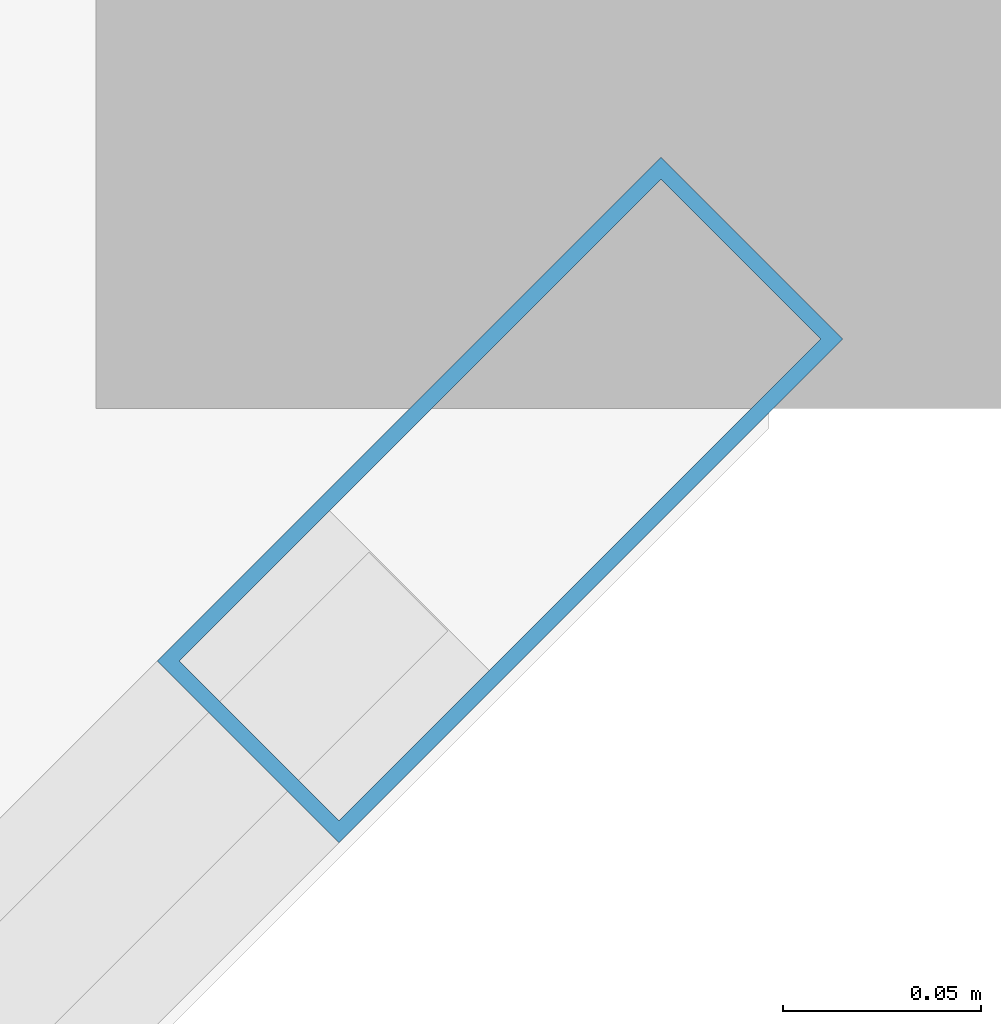
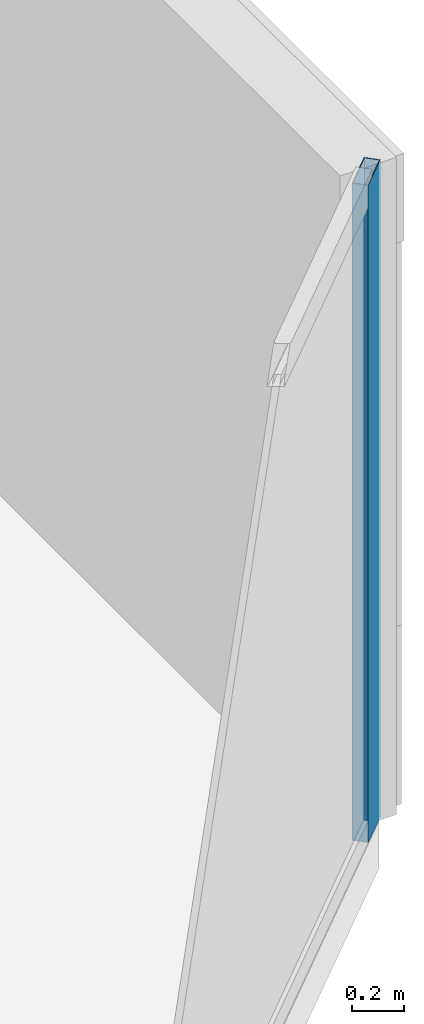
# One storey, part 15 of 29: 1 member, 1 element without a shape of its own.
"""IFC4 building model written with IfcOpenShell, lengths in metres."""

from ifc_helpers import new_model, si_unit, direction, frame, origin, origin_2d, place, context, subcontext, project, spatial, hollow_rectangle, extrude, material, layer, layer_set, material_profile, profile_set, type_object, element, aggregate, save


model = new_model("IFC4")

# Units and contexts
model_context = context("Model", 3, precision=1e-05, world=origin(), true_north=direction((0.0, 1.0)))
body_context = subcontext(model_context, "Body", "Model", "MODEL_VIEW")
ifc_project = project(units=[si_unit("LENGTHUNIT", "METRE"), si_unit("AREAUNIT", "SQUARE_METRE"), si_unit("VOLUMEUNIT", "CUBIC_METRE"), si_unit("PLANEANGLEUNIT", "RADIAN"), si_unit("MASSUNIT", "GRAM", prefix="KILO")], contexts=[model_context])

# Site, building, storey
site_placement = place(None, origin())
site = spatial("IfcSite", under=ifc_project, at=site_placement, CompositionType="ELEMENT")
building_placement = place(site_placement, origin())
building = spatial("IfcBuilding", under=site, at=building_placement, Name="Tanjung Sevakor Pilgrim Tower", CompositionType="ELEMENT")
storey_placement = place(building_placement, frame((0.0, 0.0, 151.800048828125)))
storey = spatial("IfcBuildingStorey", under=building, at=storey_placement, Name="L42", CompositionType="ELEMENT", Elevation=151.800048828125)

# Curtain wall, member
ifc_material_1 = material(Name="Aluminium 6063-T6 and Low-E Glass", Category="aluminium")
ifc_layer = layer(ifc_material_1, 0.179931640625)
ifc_layer_set = layer_set([ifc_layer], Name="CW-SYS-CHAM")
curtain_wall_type = type_object("IfcCurtainWallType", Name="CW-SYS-CHAM", PredefinedType="NOTDEFINED", material=ifc_layer_set)
curtain_wall_placement = place(storey_placement, origin())
curtain_wall = element("IfcCurtainWall", 1, at=curtain_wall_placement, inside=storey, type_object=curtain_wall_type, Name="L42 Curtain Wall CW-CHM-L42-MAIN-5", PredefinedType="NOTDEFINED")
ifc_material_2 = material(Name="Aluminium 6063-T6", Category="aluminium")
ifc_material_profile = material_profile(ifc_material_2, hollow_rectangle(XDim=0.06494140625, YDim=0.179931640625, WallThickness=0.00390625, at=origin_2d()))
ifc_profile_set = profile_set([ifc_material_profile], Name="Aluminium 6063-T6")
member_type = type_object("IfcMemberType", Name="TYPE-CWM-1", PredefinedType="MULLION", material=ifc_profile_set)
member_placement = place(storey_placement, frame((99.85205078125, 16.12890625, 0.0), z_axis=(0.0, 0.0, 1.0), x_axis=(-0.707106781187, 0.707106781187, 0.0)))
member = element("IfcMember", 2, at=member_placement, type_object=member_type, Name="CW-CHM mullion 2", PredefinedType="MULLION", context=body_context, shape_type="SweptSolid", body=[
    extrude(hollow_rectangle(XDim=0.06494140625, YDim=0.179931640625, WallThickness=0.00390625, at=origin_2d()), origin(), (0.0, 0.0, 1.0), 3.079833984375),
])
aggregate(curtain_wall, [member])

save(model, "model.ifc")
